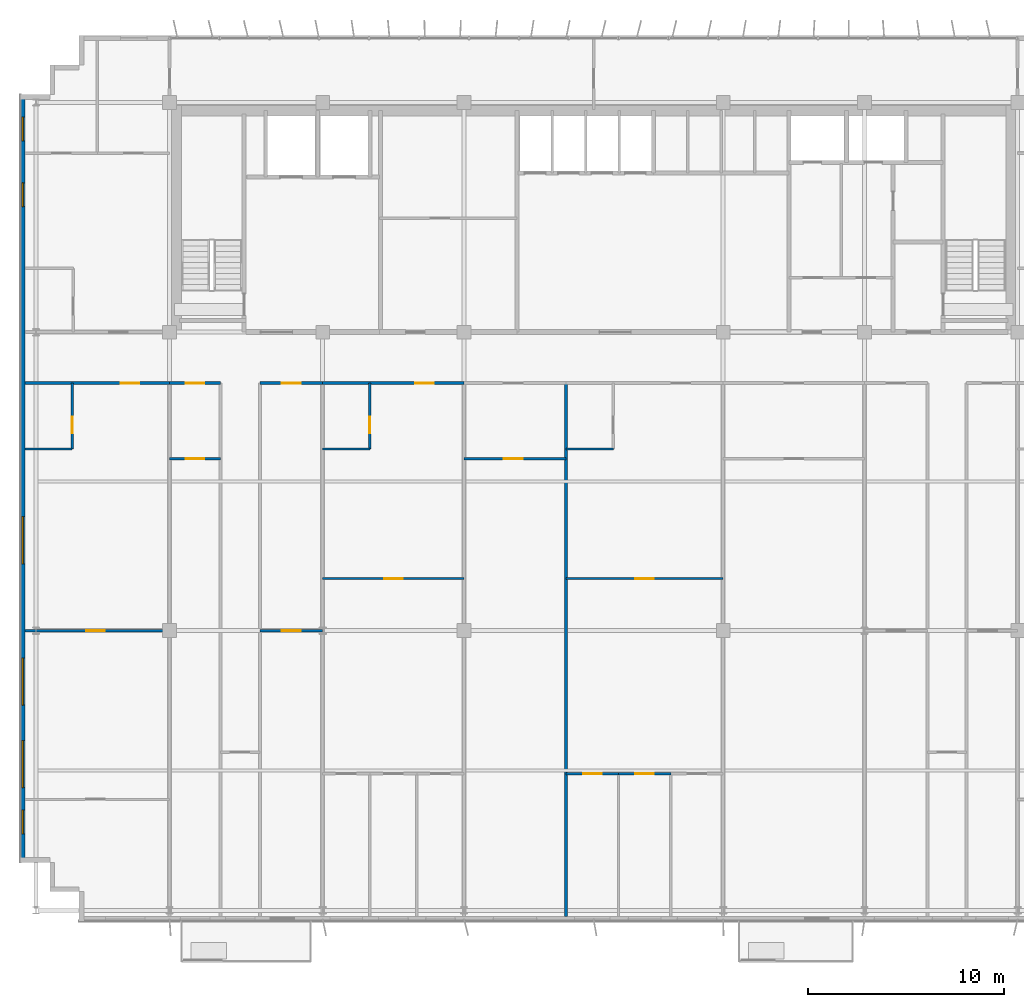
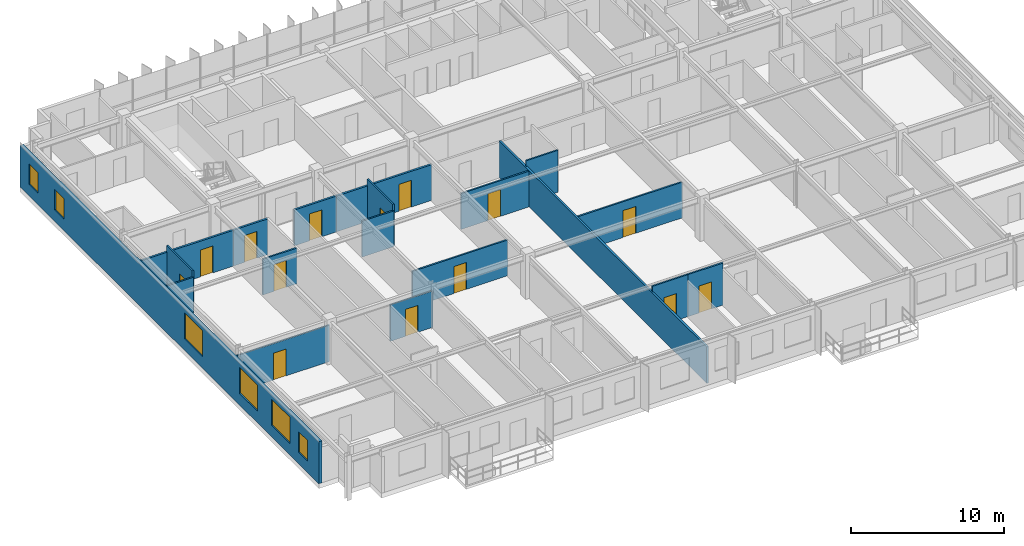
# One storey, part 17 of 23: 19 walls, 14 doors, 6 windows, 20 openings.
"""IFC4 building model written with IfcOpenShell, lengths in metres."""

from ifc_helpers import new_model, si_unit, direction, frame, frame_2d, origin, place, context, subcontext, project, spatial, rectangle, extrude, source, transform, mapped, material, layer, layer_set, type_object, element, fill, save


model = new_model("IFC4")

# Units and contexts
model_context = context("Model", 3, precision=1e-05, world=origin(), true_north=direction((0.0, 1.0)))
body_context = subcontext(model_context, "Body", "Model", "MODEL_VIEW")
ifc_project = project(units=[si_unit("LENGTHUNIT", "METRE"), si_unit("AREAUNIT", "SQUARE_METRE"), si_unit("VOLUMEUNIT", "CUBIC_METRE"), si_unit("PLANEANGLEUNIT", "RADIAN"), si_unit("MASSUNIT", "GRAM", prefix="KILO")], contexts=[model_context])

# Site, building, storey
site_placement = place(None, origin())
site = spatial("IfcSite", under=ifc_project, at=site_placement, CompositionType="ELEMENT")
building_placement = place(site_placement, origin())
building = spatial("IfcBuilding", under=site, at=building_placement, Name="Trelvane Seafront Commons", CompositionType="ELEMENT")
storey_placement = place(building_placement, frame((0.0, 0.0, 204.89990234375)))
storey = spatial("IfcBuildingStorey", under=building, at=storey_placement, Name="L53", CompositionType="ELEMENT", Elevation=204.89990234375)

# Wall, openings, windows
ifc_material_1 = material(Name="Precast concrete C40/50", Category="concrete")
ifc_layer_1 = layer(ifc_material_1, 0.239990234375, Name="ARCH-WALL-EXT240")
ifc_layer_set_1 = layer_set([ifc_layer_1], Name="Precast concrete C40/50")
wall_type_1 = type_object("IfcWallType", Name="ARCH-WALL-EXT240", PredefinedType="SOLIDWALL", material=ifc_layer_set_1)
wall_1_placement = place(storey_placement, frame((8.1201171875, 6.39990234375, 0.0), z_axis=(0.0, 0.0, 1.0), x_axis=(0.0, 1.0, 0.0)))
wall_1 = element("IfcWall", 1, at=wall_1_placement, inside=storey, type_object=wall_type_1, Name="EW-L53-01062", PredefinedType="SOLIDWALL", context=body_context, shape_type="SweptSolid", body=[
    extrude(rectangle(XDim=39.10009765625, YDim=0.239990234375, at=frame_2d((19.550048828125, 0.0))), origin(), (0.0, 0.0, 1.0), 3.360107421875),
])
opening_1_placement = place(wall_1_placement, frame((1.449951171875, 0.0, 0.919921875)))
opening_1 = element("IfcOpeningElement", 2, at=opening_1_placement, cuts=wall_1, Name="Opening W05", PredefinedType="OPENING", context=body_context, shape_type="SweptSolid", body=[
    extrude(rectangle(XDim=1.199951171875, YDim=1.64990234375, at=frame_2d((0.60009765625, 0.824951171875))), frame((0.0, 0.1298828125, 0.0), z_axis=(0.0, -1.0, 0.0), x_axis=(1.0, 0.0, 0.0)), (0.0, 0.0, 1.0), 0.260009765625),
])
opening_2_placement = place(wall_1_placement, frame((3.800048828125, 0.0, 0.919921875)))
opening_2 = element("IfcOpeningElement", 3, at=opening_2_placement, cuts=wall_1, Name="Opening W08", PredefinedType="OPENING", context=body_context, shape_type="SweptSolid", body=[
    extrude(rectangle(XDim=2.39990234375, YDim=2.10009765625, at=frame_2d((1.199951171875, 1.050048828125))), frame((0.0, 0.1298828125, 0.0), z_axis=(0.0, -1.0, 0.0), x_axis=(1.0, 0.0, 0.0)), (0.0, 0.0, 1.0), 0.260009765625),
])
opening_3_placement = place(wall_1_placement, frame((8.0, 0.0, 0.919921875)))
opening_3 = element("IfcOpeningElement", 4, at=opening_3_placement, cuts=wall_1, Name="Opening W08", PredefinedType="OPENING", context=body_context, shape_type="SweptSolid", body=[
    extrude(rectangle(XDim=2.39990234375, YDim=2.10009765625, at=frame_2d((1.199951171875, 1.050048828125))), frame((0.0, 0.1298828125, 0.0), z_axis=(0.0, -1.0, 0.0), x_axis=(1.0, 0.0, 0.0)), (0.0, 0.0, 1.0), 0.260009765625),
])
opening_4_placement = place(wall_1_placement, frame((15.199951171875, 0.0, 0.919921875)))
opening_4 = element("IfcOpeningElement", 5, at=opening_4_placement, cuts=wall_1, Name="Opening W08", PredefinedType="OPENING", context=body_context, shape_type="SweptSolid", body=[
    extrude(rectangle(XDim=2.39990234375, YDim=2.10009765625, at=frame_2d((1.199951171875, 1.050048828125))), frame((0.0, 0.1298828125, 0.0), z_axis=(0.0, -1.0, 0.0), x_axis=(1.0, 0.0, 0.0)), (0.0, 0.0, 1.0), 0.260009765625),
])
opening_5_placement = place(wall_1_placement, frame((33.39990234375, 0.0, 0.919921875)))
opening_5 = element("IfcOpeningElement", 6, at=opening_5_placement, cuts=wall_1, Name="Opening W05", PredefinedType="OPENING", context=body_context, shape_type="SweptSolid", body=[
    extrude(rectangle(XDim=1.199951171875, YDim=1.64990234375, at=frame_2d((0.60009765625, 0.824951171875))), frame((0.0, 0.1298828125, 0.0), z_axis=(0.0, -1.0, 0.0), x_axis=(1.0, 0.0, 0.0)), (0.0, 0.0, 1.0), 0.260009765625),
])
opening_6_placement = place(wall_1_placement, frame((36.75, 0.0, 0.919921875)))
opening_6 = element("IfcOpeningElement", 7, at=opening_6_placement, cuts=wall_1, Name="Opening W05", PredefinedType="OPENING", context=body_context, shape_type="SweptSolid", body=[
    extrude(rectangle(XDim=1.199951171875, YDim=1.64990234375, at=frame_2d((0.60009765625, 0.824951171875))), frame((0.0, 0.1298828125, 0.0), z_axis=(0.0, -1.0, 0.0), x_axis=(1.0, 0.0, 0.0)), (0.0, 0.0, 1.0), 0.260009765625),
])
ifc_material_2 = material(Name="Low-E coastal double glazing", Category="glass")
window_type_1 = type_object("IfcWindowType", Name="ARCH-WIN-W08", PartitioningType="SINGLE_PANEL", PredefinedType="WINDOW", material=ifc_material_2)
shared_shape_1 = source(origin(), body_context, "Body", "SweptSolid", [
    extrude(rectangle(XDim=2.39990234375, YDim=2.10009765625, at=frame_2d((1.199951171875, 1.050048828125))), frame((0.0, 0.030029296875, 0.0), z_axis=(0.0, -1.0, 0.0), x_axis=(1.0, 0.0, 0.0)), (0.0, 0.0, 1.0), 0.06005859375),
])
window_1_placement = place(opening_2_placement, origin())
window_1 = element("IfcWindow", 8, at=window_1_placement, inside=storey, type_object=window_type_1, Name="WIN-L53-EW-01274", OverallHeight=2.10009765625, OverallWidth=2.39990234375, PartitioningType="SINGLE_PANEL", PredefinedType="WINDOW", context=body_context, shape_type="MappedRepresentation", body=[
    mapped(shared_shape_1, transform((0.0, 0.0, 0.0), x_axis=(1.0, 0.0, 0.0), y_axis=(0.0, 1.0, 0.0), z_axis=(0.0, 0.0, 1.0), scale=1.0)),
])
fill(opening_2, window_1)
window_2_placement = place(opening_3_placement, origin())
window_2 = element("IfcWindow", 9, at=window_2_placement, inside=storey, type_object=window_type_1, Name="WIN-L53-EW-01275", OverallHeight=2.10009765625, OverallWidth=2.39990234375, PartitioningType="SINGLE_PANEL", PredefinedType="WINDOW", context=body_context, shape_type="MappedRepresentation", body=[
    mapped(shared_shape_1, transform((0.0, 0.0, 0.0), x_axis=(1.0, 0.0, 0.0), y_axis=(0.0, 1.0, 0.0), z_axis=(0.0, 0.0, 1.0), scale=1.0)),
])
fill(opening_3, window_2)
window_3_placement = place(opening_4_placement, origin())
window_3 = element("IfcWindow", 10, at=window_3_placement, inside=storey, type_object=window_type_1, Name="WIN-L53-EW-01276", OverallHeight=2.10009765625, OverallWidth=2.39990234375, PartitioningType="SINGLE_PANEL", PredefinedType="WINDOW", context=body_context, shape_type="MappedRepresentation", body=[
    mapped(shared_shape_1, transform((0.0, 0.0, 0.0), x_axis=(1.0, 0.0, 0.0), y_axis=(0.0, 1.0, 0.0), z_axis=(0.0, 0.0, 1.0), scale=1.0)),
])
fill(opening_4, window_3)
window_type_2 = type_object("IfcWindowType", Name="ARCH-WIN-W05", PartitioningType="SINGLE_PANEL", PredefinedType="WINDOW", material=ifc_material_2)
shared_shape_2 = source(origin(), body_context, "Body", "SweptSolid", [
    extrude(rectangle(XDim=1.199951171875, YDim=1.64990234375, at=frame_2d((0.60009765625, 0.824951171875))), frame((0.0, 0.030029296875, 0.0), z_axis=(0.0, -1.0, 0.0), x_axis=(1.0, 0.0, 0.0)), (0.0, 0.0, 1.0), 0.06005859375),
])
window_4_placement = place(opening_1_placement, origin())
window_4 = element("IfcWindow", 11, at=window_4_placement, inside=storey, type_object=window_type_2, Name="WIN-L53-EW-01273", OverallHeight=1.64990234375, OverallWidth=1.199951171875, PartitioningType="SINGLE_PANEL", PredefinedType="WINDOW", context=body_context, shape_type="MappedRepresentation", body=[
    mapped(shared_shape_2, transform((0.0, 0.0, 0.0), x_axis=(1.0, 0.0, 0.0), y_axis=(0.0, 1.0, 0.0), z_axis=(0.0, 0.0, 1.0), scale=1.0)),
])
fill(opening_1, window_4)
window_5_placement = place(opening_5_placement, origin())
window_5 = element("IfcWindow", 12, at=window_5_placement, inside=storey, type_object=window_type_2, Name="WIN-L53-EW-01277", OverallHeight=1.64990234375, OverallWidth=1.199951171875, PartitioningType="SINGLE_PANEL", PredefinedType="WINDOW", context=body_context, shape_type="MappedRepresentation", body=[
    mapped(shared_shape_2, transform((0.0, 0.0, 0.0), x_axis=(1.0, 0.0, 0.0), y_axis=(0.0, 1.0, 0.0), z_axis=(0.0, 0.0, 1.0), scale=1.0)),
])
fill(opening_5, window_5)
window_6_placement = place(opening_6_placement, origin())
window_6 = element("IfcWindow", 13, at=window_6_placement, inside=storey, type_object=window_type_2, Name="WIN-L53-EW-01278", OverallHeight=1.64990234375, OverallWidth=1.199951171875, PartitioningType="SINGLE_PANEL", PredefinedType="WINDOW", context=body_context, shape_type="MappedRepresentation", body=[
    mapped(shared_shape_2, transform((0.0, 0.0, 0.0), x_axis=(1.0, 0.0, 0.0), y_axis=(0.0, 1.0, 0.0), z_axis=(0.0, 0.0, 1.0), scale=1.0)),
])
fill(opening_6, window_6)

# Wall, opening, door
ifc_material_3 = material(Name="Gypsum Drywall Acoustic Partition")
ifc_layer_2 = layer(ifc_material_3, 0.1201171875, Name="ARCH-WALL-PART120")
ifc_layer_set_2 = layer_set([ifc_layer_2], Name="Gypsum Drywall Acoustic Partition")
wall_type_2 = type_object("IfcWallType", Name="ARCH-WALL-PART120", PredefinedType="PARTITIONING", material=ifc_layer_set_2)
wall_2_placement = place(storey_placement, frame((8.239990234375, 18.199951171875, 0.0), z_axis=(0.0, 0.0, 1.0), x_axis=(1.0, 0.0, 0.0)))
wall_2 = element("IfcWall", 14, at=wall_2_placement, inside=storey, type_object=wall_type_2, Name="W-L53-U1-KL-058", PredefinedType="PARTITIONING", context=body_context, shape_type="SweptSolid", body=[
    extrude(rectangle(XDim=7.360107421875, YDim=0.1201171875, at=frame_2d((3.68017578125, 0.0))), origin(), (0.0, 0.0, 1.0), 2.91015625),
])
opening_7_placement = place(wall_2_placement, frame((3.114013671875, 0.0, 0.0)))
opening_7 = element("IfcOpeningElement", 15, at=opening_7_placement, cuts=wall_2, Name="Opening D-L53-31", PredefinedType="OPENING", context=body_context, shape_type="SweptSolid", body=[
    extrude(rectangle(XDim=0.949951171875, YDim=2.14990234375, at=frame_2d((0.47509765625, 1.074951171875))), frame((0.0, 0.070068359375, 0.0), z_axis=(0.0, -1.0, 0.0), x_axis=(1.0, 0.0, 0.0)), (0.0, 0.0, 1.0), 0.14013671875),
])
ifc_material_4 = material(Name="Acoustic timber door leaf", Category="wood")
door_type_1 = type_object("IfcDoorType", Name="ARCH-DR-INT950", OperationType="NOTDEFINED", PredefinedType="DOOR", material=ifc_material_4)
shared_shape_3 = source(origin(), body_context, "Body", "SweptSolid", [
    extrude(rectangle(XDim=0.949951171875, YDim=2.14990234375, at=frame_2d((0.47509765625, 1.074951171875))), frame((0.0, 0.02490234375, 0.0), z_axis=(0.0, -1.0, 0.0), x_axis=(1.0, 0.0, 0.0)), (0.0, 0.0, 1.0), 0.050048828125),
])
door_1_placement = place(opening_7_placement, origin())
door_1 = element("IfcDoor", 16, at=door_1_placement, inside=storey, type_object=door_type_1, Name="L53 Door 31", OperationType="SINGLE_SWING_LEFT", OverallHeight=2.14990234375, OverallWidth=0.949951171875, PredefinedType="DOOR", context=body_context, shape_type="MappedRepresentation", body=[
    mapped(shared_shape_3, transform((0.0, 0.0, 0.0), x_axis=(1.0, 0.0, 0.0), y_axis=(0.0, 1.0, 0.0), z_axis=(0.0, 0.0, 1.0), scale=1.0)),
])
fill(opening_7, door_1)

wall_3_placement = place(storey_placement, frame((10.639892578125, 27.449951171875, 0.0), z_axis=(0.0, 0.0, 1.0), x_axis=(0.0, 1.0, 0.0)))
wall_3 = element("IfcWall", 17, at=wall_3_placement, inside=storey, type_object=wall_type_2, Name="W-L53-U1-BE-059", PredefinedType="PARTITIONING", context=body_context, shape_type="SweptSolid", body=[
    extrude(rectangle(XDim=3.35009765625, YDim=0.1201171875, at=frame_2d((1.675048828125, 0.0))), origin(), (0.0, 0.0, 1.0), 3.360107421875),
])
opening_8_placement = place(wall_3_placement, frame((0.800048828125, 0.0, 0.0)))
opening_8 = element("IfcOpeningElement", 18, at=opening_8_placement, cuts=wall_3, Name="Opening D-L53-32", PredefinedType="OPENING", context=body_context, shape_type="SweptSolid", body=[
    extrude(rectangle(XDim=0.85009765625, YDim=2.10009765625, at=frame_2d((0.425048828125, 1.050048828125))), frame((0.0, 0.070068359375, 0.0), z_axis=(0.0, -1.0, 0.0), x_axis=(1.0, 0.0, 0.0)), (0.0, 0.0, 1.0), 0.14013671875),
])
door_type_2 = type_object("IfcDoorType", Name="ARCH-DR-INT850", OperationType="NOTDEFINED", PredefinedType="DOOR", material=ifc_material_4)
shared_shape_4 = source(origin(), body_context, "Body", "SweptSolid", [
    extrude(rectangle(XDim=0.85009765625, YDim=2.10009765625, at=frame_2d((0.425048828125, 1.050048828125))), frame((0.0, 0.02490234375, 0.0), z_axis=(0.0, -1.0, 0.0), x_axis=(1.0, 0.0, 0.0)), (0.0, 0.0, 1.0), 0.050048828125),
])
door_2_placement = place(opening_8_placement, origin())
door_2 = element("IfcDoor", 19, at=door_2_placement, inside=storey, type_object=door_type_2, Name="L53 Door 32", OperationType="SINGLE_SWING_RIGHT", OverallHeight=2.10009765625, OverallWidth=0.85009765625, PredefinedType="DOOR", context=body_context, shape_type="MappedRepresentation", body=[
    mapped(shared_shape_4, transform((0.0, 0.0, 0.0), x_axis=(1.0, 0.0, 0.0), y_axis=(0.0, 1.0, 0.0), z_axis=(0.0, 0.0, 1.0), scale=1.0)),
])
fill(opening_8, door_2)

# Wall
wall_4_placement = place(storey_placement, frame((8.239990234375, 27.449951171875, 0.0), z_axis=(0.0, 0.0, 1.0), x_axis=(1.0, 0.0, 0.0)))
element("IfcWall", 20, at=wall_4_placement, inside=storey, type_object=wall_type_2, Name="W-L53-U1-BS-060", PredefinedType="PARTITIONING", context=body_context, shape_type="SweptSolid", body=[
    extrude(rectangle(XDim=2.39990234375, YDim=0.1201171875, at=frame_2d((1.199951171875, 0.0))), origin(), (0.0, 0.0, 1.0), 2.860107421875),
])

# Wall, opening, door
wall_5_placement = place(storey_placement, frame((15.60009765625, 26.949951171875, 0.0), z_axis=(0.0, 0.0, 1.0), x_axis=(1.0, 0.0, 0.0)))
wall_5 = element("IfcWall", 21, at=wall_5_placement, inside=storey, type_object=wall_type_2, Name="W-L53-U2-DIV-064", PredefinedType="PARTITIONING", context=body_context, shape_type="SweptSolid", body=[
    extrude(rectangle(XDim=2.599853515625, YDim=0.1201171875, at=frame_2d((1.2998046875, 0.0))), origin(), (0.0, 0.0, 1.0), 2.860107421875),
])
opening_9_placement = place(wall_5_placement, frame((0.824951171875, 0.0, 0.0)))
opening_9 = element("IfcOpeningElement", 22, at=opening_9_placement, cuts=wall_5, Name="Opening D-L53-36", PredefinedType="OPENING", context=body_context, shape_type="SweptSolid", body=[
    extrude(rectangle(XDim=0.949951171875, YDim=2.14990234375, at=frame_2d((0.47509765625, 1.074951171875))), frame((0.0, 0.070068359375, 0.0), z_axis=(0.0, -1.0, 0.0), x_axis=(1.0, 0.0, 0.0)), (0.0, 0.0, 1.0), 0.14013671875),
])
door_3_placement = place(opening_9_placement, origin())
door_3 = element("IfcDoor", 23, at=door_3_placement, inside=storey, type_object=door_type_1, Name="L53 Door 36", OperationType="SINGLE_SWING_RIGHT", OverallHeight=2.14990234375, OverallWidth=0.949951171875, PredefinedType="DOOR", context=body_context, shape_type="MappedRepresentation", body=[
    mapped(shared_shape_3, transform((0.0, 0.0, 0.0), x_axis=(1.0, 0.0, 0.0), y_axis=(0.0, 1.0, 0.0), z_axis=(0.0, 0.0, 1.0), scale=1.0)),
])
fill(opening_9, door_3)

wall_6_placement = place(storey_placement, frame((20.199951171875, 18.199951171875, 0.0), z_axis=(0.0, 0.0, 1.0), x_axis=(1.0, 0.0, 0.0)))
wall_6 = element("IfcWall", 24, at=wall_6_placement, inside=storey, type_object=wall_type_2, Name="W-L53-U4-DIV-069", PredefinedType="PARTITIONING", context=body_context, shape_type="SweptSolid", body=[
    extrude(rectangle(XDim=3.199951171875, YDim=0.1201171875, at=frame_2d((1.60009765625, 0.0))), origin(), (0.0, 0.0, 1.0), 2.91015625),
])
opening_10_placement = place(wall_6_placement, frame((1.125, 0.0, 0.0)))
opening_10 = element("IfcOpeningElement", 25, at=opening_10_placement, cuts=wall_6, Name="Opening D-L53-39", PredefinedType="OPENING", context=body_context, shape_type="SweptSolid", body=[
    extrude(rectangle(XDim=0.949951171875, YDim=2.14990234375, at=frame_2d((0.47509765625, 1.074951171875))), frame((0.0, 0.070068359375, 0.0), z_axis=(0.0, -1.0, 0.0), x_axis=(1.0, 0.0, 0.0)), (0.0, 0.0, 1.0), 0.14013671875),
])
door_4_placement = place(opening_10_placement, origin())
door_4 = element("IfcDoor", 26, at=door_4_placement, inside=storey, type_object=door_type_1, Name="L53 Door 39", OperationType="SINGLE_SWING_LEFT", OverallHeight=2.14990234375, OverallWidth=0.949951171875, PredefinedType="DOOR", context=body_context, shape_type="MappedRepresentation", body=[
    mapped(shared_shape_3, transform((0.0, 0.0, 0.0), x_axis=(1.0, 0.0, 0.0), y_axis=(0.0, 1.0, 0.0), z_axis=(0.0, 0.0, 1.0), scale=1.0)),
])
fill(opening_10, door_4)

wall_7_placement = place(storey_placement, frame((23.39990234375, 20.85009765625, 0.0), z_axis=(0.0, 0.0, 1.0), x_axis=(1.0, 0.0, 0.0)))
wall_7 = element("IfcWall", 27, at=wall_7_placement, inside=storey, type_object=wall_type_2, Name="W-L53-U5-KL-070", PredefinedType="PARTITIONING", context=body_context, shape_type="SweptSolid", body=[
    extrude(rectangle(XDim=7.2001953125, YDim=0.1201171875, at=frame_2d((3.60009765625, 0.0))), origin(), (0.0, 0.0, 1.0), 2.860107421875),
])
opening_11_placement = place(wall_7_placement, frame((3.125, 0.0, 0.0)))
opening_11 = element("IfcOpeningElement", 28, at=opening_11_placement, cuts=wall_7, Name="Opening D-L53-40", PredefinedType="OPENING", context=body_context, shape_type="SweptSolid", body=[
    extrude(rectangle(XDim=0.949951171875, YDim=2.14990234375, at=frame_2d((0.47509765625, 1.074951171875))), frame((0.0, 0.070068359375, 0.0), z_axis=(0.0, -1.0, 0.0), x_axis=(1.0, 0.0, 0.0)), (0.0, 0.0, 1.0), 0.14013671875),
])
door_5_placement = place(opening_11_placement, origin())
door_5 = element("IfcDoor", 29, at=door_5_placement, inside=storey, type_object=door_type_1, Name="L53 Door 40", OperationType="SINGLE_SWING_RIGHT", OverallHeight=2.14990234375, OverallWidth=0.949951171875, PredefinedType="DOOR", context=body_context, shape_type="MappedRepresentation", body=[
    mapped(shared_shape_3, transform((0.0, 0.0, 0.0), x_axis=(1.0, 0.0, 0.0), y_axis=(0.0, 1.0, 0.0), z_axis=(0.0, 0.0, 1.0), scale=1.0)),
])
fill(opening_11, door_5)

wall_8_placement = place(storey_placement, frame((25.800048828125, 27.449951171875, 0.0), z_axis=(0.0, 0.0, 1.0), x_axis=(0.0, 1.0, 0.0)))
wall_8 = element("IfcWall", 30, at=wall_8_placement, inside=storey, type_object=wall_type_2, Name="W-L53-U5-BE-071", PredefinedType="PARTITIONING", context=body_context, shape_type="SweptSolid", body=[
    extrude(rectangle(XDim=3.35009765625, YDim=0.1201171875, at=frame_2d((1.675048828125, 0.0))), origin(), (0.0, 0.0, 1.0), 3.360107421875),
])
opening_12_placement = place(wall_8_placement, frame((0.800048828125, 0.0, 0.0)))
opening_12 = element("IfcOpeningElement", 31, at=opening_12_placement, cuts=wall_8, Name="Opening D-L53-41", PredefinedType="OPENING", context=body_context, shape_type="SweptSolid", body=[
    extrude(rectangle(XDim=0.85009765625, YDim=2.10009765625, at=frame_2d((0.425048828125, 1.050048828125))), frame((0.0, 0.070068359375, 0.0), z_axis=(0.0, -1.0, 0.0), x_axis=(1.0, 0.0, 0.0)), (0.0, 0.0, 1.0), 0.14013671875),
])
door_6_placement = place(opening_12_placement, origin())
door_6 = element("IfcDoor", 32, at=door_6_placement, inside=storey, type_object=door_type_2, Name="L53 Door 41", OperationType="SINGLE_SWING_LEFT", OverallHeight=2.10009765625, OverallWidth=0.85009765625, PredefinedType="DOOR", context=body_context, shape_type="MappedRepresentation", body=[
    mapped(shared_shape_4, transform((0.0, 0.0, 0.0), x_axis=(1.0, 0.0, 0.0), y_axis=(0.0, 1.0, 0.0), z_axis=(0.0, 0.0, 1.0), scale=1.0)),
])
fill(opening_12, door_6)

# Wall
wall_9_placement = place(storey_placement, frame((23.39990234375, 27.449951171875, 0.0), z_axis=(0.0, 0.0, 1.0), x_axis=(1.0, 0.0, 0.0)))
element("IfcWall", 33, at=wall_9_placement, inside=storey, type_object=wall_type_2, Name="W-L53-U5-BS-072", PredefinedType="PARTITIONING", context=body_context, shape_type="SweptSolid", body=[
    extrude(rectangle(XDim=2.400146484375, YDim=0.1201171875, at=frame_2d((1.2001953125, 0.0))), origin(), (0.0, 0.0, 1.0), 2.860107421875),
])

# Wall, opening, door
wall_10_placement = place(storey_placement, frame((30.60009765625, 26.949951171875, 0.0), z_axis=(0.0, 0.0, 1.0), x_axis=(1.0, 0.0, 0.0)))
wall_10 = element("IfcWall", 34, at=wall_10_placement, inside=storey, type_object=wall_type_2, Name="W-L53-U6-DIV-080", PredefinedType="PARTITIONING", context=body_context, shape_type="SweptSolid", body=[
    extrude(rectangle(XDim=5.199951171875, YDim=0.1201171875, at=frame_2d((2.60009765625, 0.0))), origin(), (0.0, 0.0, 1.0), 2.860107421875),
])
opening_13_placement = place(wall_10_placement, frame((2.032958984375, 0.0, 0.0)))
opening_13 = element("IfcOpeningElement", 35, at=opening_13_placement, cuts=wall_10, Name="Opening D-L53-47", PredefinedType="OPENING", context=body_context, shape_type="SweptSolid", body=[
    extrude(rectangle(XDim=0.949951171875, YDim=2.14990234375, at=frame_2d((0.47509765625, 1.074951171875))), frame((0.0, 0.070068359375, 0.0), z_axis=(0.0, -1.0, 0.0), x_axis=(1.0, 0.0, 0.0)), (0.0, 0.0, 1.0), 0.14013671875),
])
door_7_placement = place(opening_13_placement, origin())
door_7 = element("IfcDoor", 36, at=door_7_placement, inside=storey, type_object=door_type_1, Name="L53 Door 47", OperationType="SINGLE_SWING_LEFT", OverallHeight=2.14990234375, OverallWidth=0.949951171875, PredefinedType="DOOR", context=body_context, shape_type="MappedRepresentation", body=[
    mapped(shared_shape_3, transform((0.0, 0.0, 0.0), x_axis=(1.0, 0.0, 0.0), y_axis=(0.0, 1.0, 0.0), z_axis=(0.0, 0.0, 1.0), scale=1.0)),
])
fill(opening_13, door_7)

wall_11_placement = place(storey_placement, frame((35.800048828125, 20.85009765625, 0.0), z_axis=(0.0, 0.0, 1.0), x_axis=(1.0, 0.0, 0.0)))
wall_11 = element("IfcWall", 37, at=wall_11_placement, inside=storey, type_object=wall_type_2, Name="W-L53-U7-KL-081", PredefinedType="PARTITIONING", context=body_context, shape_type="SweptSolid", body=[
    extrude(rectangle(XDim=8.0, YDim=0.1201171875, at=frame_2d((4.0, 0.0))), origin(), (0.0, 0.0, 1.0), 2.860107421875),
])
opening_14_placement = place(wall_11_placement, frame((3.52490234375, 0.0, 0.0)))
opening_14 = element("IfcOpeningElement", 38, at=opening_14_placement, cuts=wall_11, Name="Opening D-L53-48", PredefinedType="OPENING", context=body_context, shape_type="SweptSolid", body=[
    extrude(rectangle(XDim=0.949951171875, YDim=2.14990234375, at=frame_2d((0.47509765625, 1.074951171875))), frame((0.0, 0.070068359375, 0.0), z_axis=(0.0, -1.0, 0.0), x_axis=(1.0, 0.0, 0.0)), (0.0, 0.0, 1.0), 0.14013671875),
])
door_8_placement = place(opening_14_placement, origin())
door_8 = element("IfcDoor", 39, at=door_8_placement, inside=storey, type_object=door_type_1, Name="L53 Door 48", OperationType="SINGLE_SWING_RIGHT", OverallHeight=2.14990234375, OverallWidth=0.949951171875, PredefinedType="DOOR", context=body_context, shape_type="MappedRepresentation", body=[
    mapped(shared_shape_3, transform((0.0, 0.0, 0.0), x_axis=(1.0, 0.0, 0.0), y_axis=(0.0, 1.0, 0.0), z_axis=(0.0, 0.0, 1.0), scale=1.0)),
])
fill(opening_14, door_8)

# Wall
wall_12_placement = place(storey_placement, frame((35.800048828125, 27.449951171875, 0.0), z_axis=(0.0, 0.0, 1.0), x_axis=(1.0, 0.0, 0.0)))
element("IfcWall", 40, at=wall_12_placement, inside=storey, type_object=wall_type_2, Name="W-L53-U7-BS-083", PredefinedType="PARTITIONING", context=body_context, shape_type="SweptSolid", body=[
    extrude(rectangle(XDim=2.39990234375, YDim=0.1201171875, at=frame_2d((1.199951171875, 0.0))), origin(), (0.0, 0.0, 1.0), 3.360107421875),
])

# Wall, opening, door
wall_13_placement = place(storey_placement, frame((35.800048828125, 10.89990234375, 0.0), z_axis=(0.0, 0.0, 1.0), x_axis=(1.0, 0.0, 0.0)))
wall_13 = element("IfcWall", 41, at=wall_13_placement, inside=storey, type_object=wall_type_2, Name="W-L53-U7-YM-1-085", PredefinedType="PARTITIONING", context=body_context, shape_type="SweptSolid", body=[
    extrude(rectangle(XDim=2.6669921875, YDim=0.1201171875, at=frame_2d((1.33349609375, 0.0))), origin(), (0.0, 0.0, 1.0), 3.360107421875),
])
opening_15_placement = place(wall_13_placement, frame((0.85888671875, 0.0, 0.0)))
opening_15 = element("IfcOpeningElement", 42, at=opening_15_placement, cuts=wall_13, Name="Opening D-L53-51", PredefinedType="OPENING", context=body_context, shape_type="SweptSolid", body=[
    extrude(rectangle(XDim=0.949951171875, YDim=2.14990234375, at=frame_2d((0.47509765625, 1.074951171875))), frame((0.0, 0.070068359375, 0.0), z_axis=(0.0, -1.0, 0.0), x_axis=(1.0, 0.0, 0.0)), (0.0, 0.0, 1.0), 0.14013671875),
])
door_9_placement = place(opening_15_placement, origin())
door_9 = element("IfcDoor", 43, at=door_9_placement, inside=storey, type_object=door_type_1, Name="L53 Door 51", OperationType="SINGLE_SWING_LEFT", OverallHeight=2.14990234375, OverallWidth=0.949951171875, PredefinedType="DOOR", context=body_context, shape_type="MappedRepresentation", body=[
    mapped(shared_shape_3, transform((0.0, 0.0, 0.0), x_axis=(1.0, 0.0, 0.0), y_axis=(0.0, 1.0, 0.0), z_axis=(0.0, 0.0, 1.0), scale=1.0)),
])
fill(opening_15, door_9)

wall_14_placement = place(storey_placement, frame((38.467041015625, 10.89990234375, 0.0), z_axis=(0.0, 0.0, 1.0), x_axis=(1.0, 0.0, 0.0)))
wall_14 = element("IfcWall", 44, at=wall_14_placement, inside=storey, type_object=wall_type_2, Name="W-L53-U7-YM-2-086", PredefinedType="PARTITIONING", context=body_context, shape_type="SweptSolid", body=[
    extrude(rectangle(XDim=2.666015625, YDim=0.1201171875, at=frame_2d((1.3330078125, 0.0))), origin(), (0.0, 0.0, 1.0), 3.360107421875),
])
opening_16_placement = place(wall_14_placement, frame((0.85791015625, 0.0, 0.0)))
opening_16 = element("IfcOpeningElement", 45, at=opening_16_placement, cuts=wall_14, Name="Opening D-L53-52", PredefinedType="OPENING", context=body_context, shape_type="SweptSolid", body=[
    extrude(rectangle(XDim=0.949951171875, YDim=2.14990234375, at=frame_2d((0.47509765625, 1.074951171875))), frame((0.0, 0.070068359375, 0.0), z_axis=(0.0, -1.0, 0.0), x_axis=(1.0, 0.0, 0.0)), (0.0, 0.0, 1.0), 0.14013671875),
])
door_10_placement = place(opening_16_placement, origin())
door_10 = element("IfcDoor", 46, at=door_10_placement, inside=storey, type_object=door_type_1, Name="L53 Door 52", OperationType="SINGLE_SWING_RIGHT", OverallHeight=2.14990234375, OverallWidth=0.949951171875, PredefinedType="DOOR", context=body_context, shape_type="MappedRepresentation", body=[
    mapped(shared_shape_3, transform((0.0, 0.0, 0.0), x_axis=(1.0, 0.0, 0.0), y_axis=(0.0, 1.0, 0.0), z_axis=(0.0, 0.0, 1.0), scale=1.0)),
])
fill(opening_16, door_10)

# Wall
ifc_layer_3 = layer(ifc_material_3, 0.14990234375, Name="ARCH-WALL-PART150")
ifc_layer_set_3 = layer_set([ifc_layer_3], Name="Gypsum Drywall Acoustic Partition")
wall_type_3 = type_object("IfcWallType", Name="ARCH-WALL-PART150", PredefinedType="PARTITIONING", material=ifc_layer_set_3)
wall_15_placement = place(storey_placement, frame((35.800048828125, 3.625, 0.0), z_axis=(0.0, 0.0, 1.0), x_axis=(0.0, 1.0, 0.0)))
element("IfcWall", 47, at=wall_15_placement, inside=storey, type_object=wall_type_3, Name="W-L53-PW-6-054", PredefinedType="PARTITIONING", context=body_context, shape_type="SweptSolid", body=[
    extrude(rectangle(XDim=27.175048828125, YDim=0.14990234375, at=frame_2d((13.58740234375, 0.0))), origin(), (0.0, 0.0, 1.0), 2.91015625),
])

# Wall, opening, door
wall_16_placement = place(storey_placement, frame((8.22509765625, 30.800048828125, 0.0), z_axis=(0.0, 0.0, 1.0), x_axis=(1.0, 0.0, 0.0)))
wall_16 = element("IfcWall", 48, at=wall_16_placement, inside=storey, type_object=wall_type_3, Name="W-L53-CS-BAY-1-061", PredefinedType="PARTITIONING", context=body_context, shape_type="SweptSolid", body=[
    extrude(rectangle(XDim=7.375, YDim=0.14990234375, at=frame_2d((3.6875, 0.0))), origin(), (0.0, 0.0, 1.0), 2.860107421875),
])
opening_17_placement = place(wall_16_placement, frame((4.876953125, 0.0, 0.0)))
opening_17 = element("IfcOpeningElement", 49, at=opening_17_placement, cuts=wall_16, Name="Opening FD-L53-33", PredefinedType="OPENING", context=body_context, shape_type="SweptSolid", body=[
    extrude(rectangle(XDim=0.949951171875, YDim=2.14990234375, at=frame_2d((0.47509765625, 1.074951171875))), frame((0.0, 0.0849609375, 0.0), z_axis=(0.0, -1.0, 0.0), x_axis=(1.0, 0.0, 0.0)), (0.0, 0.0, 1.0), 0.169921875),
])
ifc_material_5 = material(Name="Powder-coated aluminium frame", Category="aluminium")
door_type_3 = type_object("IfcDoorType", Name="ARCH-DR-FD60-950", OperationType="NOTDEFINED", PredefinedType="DOOR", material=ifc_material_5)
door_11_placement = place(opening_17_placement, origin())
door_11 = element("IfcDoor", 50, at=door_11_placement, inside=storey, type_object=door_type_3, Name="L53 Unit 01 Entrance Door", OperationType="SINGLE_SWING_LEFT", OverallHeight=2.14990234375, OverallWidth=0.949951171875, PredefinedType="DOOR", context=body_context, shape_type="MappedRepresentation", body=[
    mapped(shared_shape_3, transform((0.0, 0.0, 0.0), x_axis=(1.0, 0.0, 0.0), y_axis=(0.0, 1.0, 0.0), z_axis=(0.0, 0.0, 1.0), scale=1.0)),
])
fill(opening_17, door_11)

wall_17_placement = place(storey_placement, frame((15.60009765625, 30.800048828125, 0.0), z_axis=(0.0, 0.0, 1.0), x_axis=(1.0, 0.0, 0.0)))
wall_17 = element("IfcWall", 51, at=wall_17_placement, inside=storey, type_object=wall_type_3, Name="W-L53-CS-BAY-2-063", PredefinedType="PARTITIONING", context=body_context, shape_type="SweptSolid", body=[
    extrude(rectangle(XDim=2.599853515625, YDim=0.14990234375, at=frame_2d((1.2998046875, 0.0))), origin(), (0.0, 0.0, 1.0), 2.860107421875),
])
opening_18_placement = place(wall_17_placement, frame((0.824951171875, 0.0, 0.0)))
opening_18 = element("IfcOpeningElement", 52, at=opening_18_placement, cuts=wall_17, Name="Opening FD-L53-35", PredefinedType="OPENING", context=body_context, shape_type="SweptSolid", body=[
    extrude(rectangle(XDim=0.949951171875, YDim=2.14990234375, at=frame_2d((0.47509765625, 1.074951171875))), frame((0.0, 0.0849609375, 0.0), z_axis=(0.0, -1.0, 0.0), x_axis=(1.0, 0.0, 0.0)), (0.0, 0.0, 1.0), 0.169921875),
])
door_12_placement = place(opening_18_placement, origin())
door_12 = element("IfcDoor", 53, at=door_12_placement, inside=storey, type_object=door_type_3, Name="L53 Bay 02 Entrance Door", OperationType="SINGLE_SWING_LEFT", OverallHeight=2.14990234375, OverallWidth=0.949951171875, PredefinedType="DOOR", context=body_context, shape_type="MappedRepresentation", body=[
    mapped(shared_shape_3, transform((0.0, 0.0, 0.0), x_axis=(1.0, 0.0, 0.0), y_axis=(0.0, 1.0, 0.0), z_axis=(0.0, 0.0, 1.0), scale=1.0)),
])
fill(opening_18, door_12)

wall_18_placement = place(storey_placement, frame((20.199951171875, 30.800048828125, 0.0), z_axis=(0.0, 0.0, 1.0), x_axis=(1.0, 0.0, 0.0)))
wall_18 = element("IfcWall", 54, at=wall_18_placement, inside=storey, type_object=wall_type_3, Name="W-L53-CS-BAY-4-068", PredefinedType="PARTITIONING", context=body_context, shape_type="SweptSolid", body=[
    extrude(rectangle(XDim=3.199951171875, YDim=0.14990234375, at=frame_2d((1.60009765625, 0.0))), origin(), (0.0, 0.0, 1.0), 2.860107421875),
])
opening_19_placement = place(wall_18_placement, frame((1.125, 0.0, 0.0)))
opening_19 = element("IfcOpeningElement", 55, at=opening_19_placement, cuts=wall_18, Name="Opening FD-L53-38", PredefinedType="OPENING", context=body_context, shape_type="SweptSolid", body=[
    extrude(rectangle(XDim=0.949951171875, YDim=2.14990234375, at=frame_2d((0.47509765625, 1.074951171875))), frame((0.0, 0.0849609375, 0.0), z_axis=(0.0, -1.0, 0.0), x_axis=(1.0, 0.0, 0.0)), (0.0, 0.0, 1.0), 0.169921875),
])
door_13_placement = place(opening_19_placement, origin())
door_13 = element("IfcDoor", 56, at=door_13_placement, inside=storey, type_object=door_type_3, Name="L53 Bay 04 Entrance Door", OperationType="SINGLE_SWING_RIGHT", OverallHeight=2.14990234375, OverallWidth=0.949951171875, PredefinedType="DOOR", context=body_context, shape_type="MappedRepresentation", body=[
    mapped(shared_shape_3, transform((0.0, 0.0, 0.0), x_axis=(1.0, 0.0, 0.0), y_axis=(0.0, 1.0, 0.0), z_axis=(0.0, 0.0, 1.0), scale=1.0)),
])
fill(opening_19, door_13)

wall_19_placement = place(storey_placement, frame((23.39990234375, 30.800048828125, 0.0), z_axis=(0.0, 0.0, 1.0), x_axis=(1.0, 0.0, 0.0)))
wall_19 = element("IfcWall", 57, at=wall_19_placement, inside=storey, type_object=wall_type_3, Name="W-L53-CS-BAY-5-073", PredefinedType="PARTITIONING", context=body_context, shape_type="SweptSolid", body=[
    extrude(rectangle(XDim=7.2001953125, YDim=0.14990234375, at=frame_2d((3.60009765625, 0.0))), origin(), (0.0, 0.0, 1.0), 2.860107421875),
])
opening_20_placement = place(wall_19_placement, frame((4.7060546875, 0.0, 0.0)))
opening_20 = element("IfcOpeningElement", 58, at=opening_20_placement, cuts=wall_19, Name="Opening FD-L53-42", PredefinedType="OPENING", context=body_context, shape_type="SweptSolid", body=[
    extrude(rectangle(XDim=0.949951171875, YDim=2.14990234375, at=frame_2d((0.47509765625, 1.074951171875))), frame((0.0, 0.0849609375, 0.0), z_axis=(0.0, -1.0, 0.0), x_axis=(1.0, 0.0, 0.0)), (0.0, 0.0, 1.0), 0.169921875),
])
door_14_placement = place(opening_20_placement, origin())
door_14 = element("IfcDoor", 59, at=door_14_placement, inside=storey, type_object=door_type_3, Name="L53 Unit 05 Entrance Door", OperationType="SINGLE_SWING_RIGHT", OverallHeight=2.14990234375, OverallWidth=0.949951171875, PredefinedType="DOOR", context=body_context, shape_type="MappedRepresentation", body=[
    mapped(shared_shape_3, transform((0.0, 0.0, 0.0), x_axis=(1.0, 0.0, 0.0), y_axis=(0.0, 1.0, 0.0), z_axis=(0.0, 0.0, 1.0), scale=1.0)),
])
fill(opening_20, door_14)

save(model, "model.ifc")
